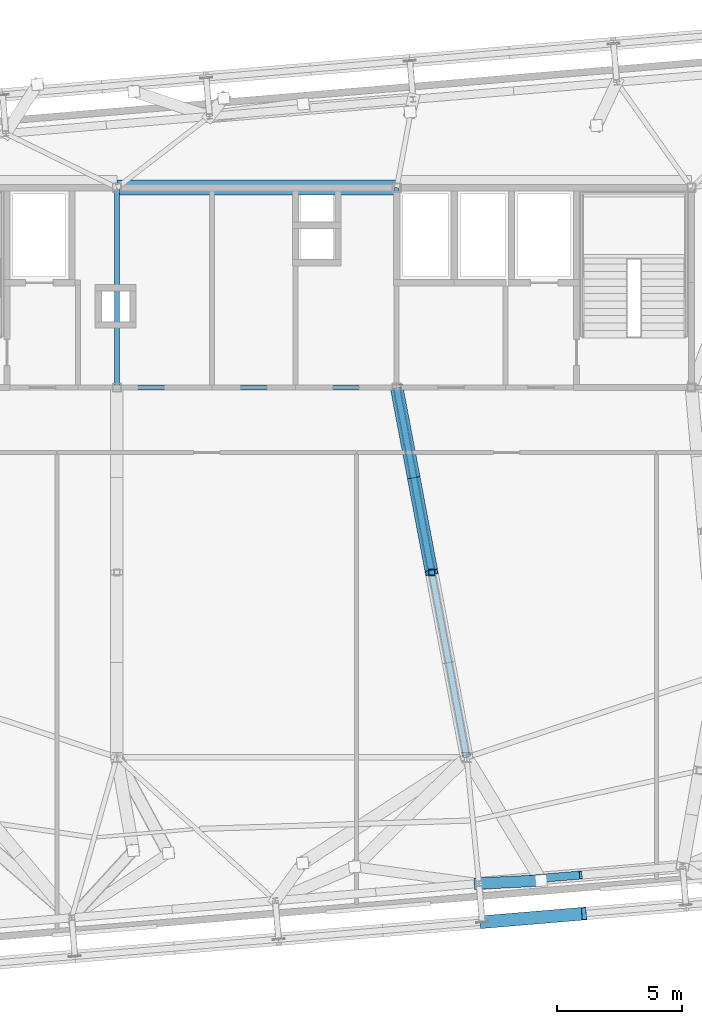
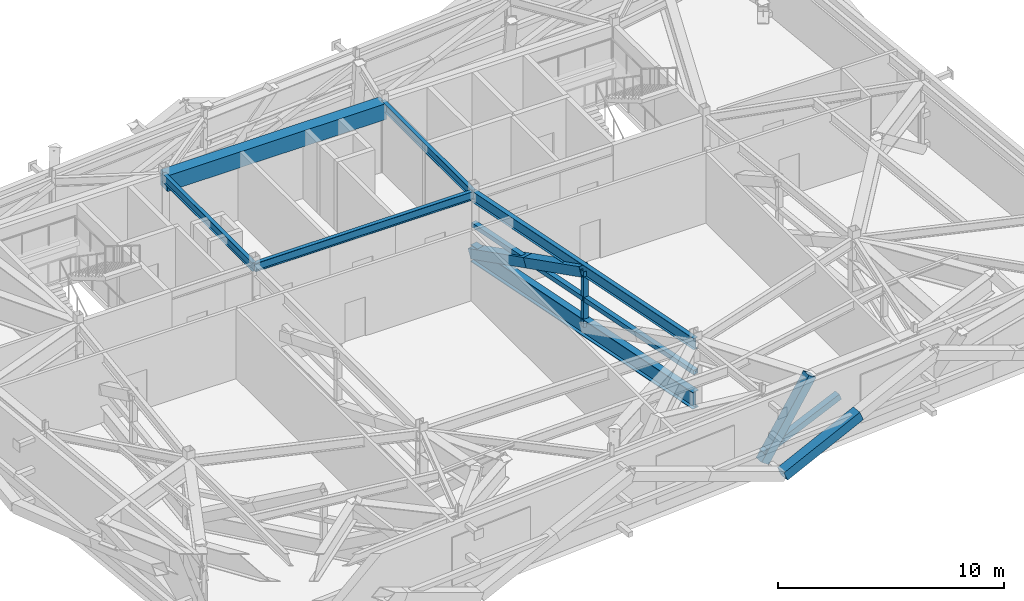
# One storey, part 10 of 26: 9 members, 5 beams.
"""IFC4 building model written with IfcOpenShell, lengths in metres."""

from ifc_helpers import new_model, si_unit, direction, frame, origin, origin_2d, place, context, subcontext, project, spatial, rectangle, hollow_rectangle, i_section, extrude, source, transform, mapped, material, material_profile, profile_set, type_object, element, save


model = new_model("IFC4")

# Units and contexts
model_context = context("Model", 3, precision=1e-05, world=origin(), true_north=direction((0.0, 1.0)))
body_context = subcontext(model_context, "Body", "Model", "MODEL_VIEW")
ifc_project = project(units=[si_unit("LENGTHUNIT", "METRE"), si_unit("AREAUNIT", "SQUARE_METRE"), si_unit("VOLUMEUNIT", "CUBIC_METRE"), si_unit("PLANEANGLEUNIT", "RADIAN"), si_unit("MASSUNIT", "GRAM", prefix="KILO")], contexts=[model_context])

# Site, building, storey
site_placement = place(None, origin())
site = spatial("IfcSite", under=ifc_project, at=site_placement, CompositionType="ELEMENT")
building_placement = place(site_placement, origin())
building = spatial("IfcBuilding", under=site, at=building_placement, Name="Taldren Reach Tower", CompositionType="ELEMENT")
storey_placement = place(building_placement, frame((0.0, 0.0, 207.199951171875)))
storey = spatial("IfcBuildingStorey", under=building, at=storey_placement, Name="L63", CompositionType="ELEMENT", Elevation=207.199951171875)

# Beams
ifc_material_1 = material(Name="Steel Gr 350 (350PLUS)", Category="steel")
ifc_material_profile_1 = material_profile(ifc_material_1, i_section(OverallWidth=0.19091796875, OverallDepth=0.4599609375, WebThickness=0.010009765625, FlangeThickness=0.01611328125, at=origin_2d()), Name="460UB82.1")
ifc_profile_set_1 = profile_set([ifc_material_profile_1], Name="Steel Gr 350 (350PLUS)")
beam_type_1 = type_object("IfcBeamType", Name="BM-UB460A", PredefinedType="BEAM", material=ifc_profile_set_1)
shared_shape_1 = source(origin(), body_context, "Body", "SweptSolid", [
    extrude(i_section(OverallWidth=0.19091796875, OverallDepth=0.4599609375, WebThickness=0.010009765625, FlangeThickness=0.01611328125, at=origin_2d()), origin(), (0.0, 0.0, 1.0), 11.199951171875),
])
beam_1_placement = place(storey_placement, frame((28.0, 24.0, 3.550048828125), z_axis=(1.0, 0.0, 0.0), x_axis=(0.0, 1.0, 0.0)))
element("IfcBeam", 1, at=beam_1_placement, inside=storey, type_object=beam_type_1, Name="Core-spine girder L63-SP02", PredefinedType="BEAM", context=body_context, shape_type="MappedRepresentation", body=[
    mapped(shared_shape_1, transform((0.0, 0.0, 0.0), scale=1.0)),
])
ifc_material_2 = material(Name="Concrete S80 (80 MPa)", Category="concrete")
ifc_material_profile_2 = material_profile(ifc_material_2, rectangle(XDim=0.60009765625, YDim=0.85009765625, at=origin_2d()), Name="RC-CB600x850")
ifc_profile_set_2 = profile_set([ifc_material_profile_2], Name="Concrete S80 (80 MPa)")
beam_type_2 = type_object("IfcBeamType", Name="BM-RCCB850", PredefinedType="BEAM", material=ifc_profile_set_2)
shared_shape_2 = source(origin(), body_context, "Body", "SweptSolid", [
    extrude(rectangle(XDim=0.60009765625, YDim=0.85009765625, at=origin_2d()), origin(), (0.0, 0.0, 1.0), 11.199951171875),
])
beam_2_placement = place(storey_placement, frame((28.0, 32.0, 3.35498046875), z_axis=(1.0, 0.0, 0.0), x_axis=(0.0, 1.0, 0.0)))
element("IfcBeam", 2, at=beam_2_placement, inside=storey, type_object=beam_type_2, Name="Core-spine girder L63-SP05", PredefinedType="BEAM", context=body_context, shape_type="MappedRepresentation", body=[
    mapped(shared_shape_2, transform((0.0, 0.0, 0.0), scale=1.0)),
])
shared_shape_3 = source(origin(), body_context, "Body", "SweptSolid", [
    extrude(i_section(OverallWidth=0.19091796875, OverallDepth=0.4599609375, WebThickness=0.010009765625, FlangeThickness=0.01611328125, at=origin_2d()), origin(), (0.0, 0.0, 1.0), 8.0),
])
for number, where, z_axis, x_axis, name in (
    (3, (28.0, 24.0, 3.550048828125), (0.0, 1.0, 0.0), (-1.0, 0.0, 0.0), "Core-spine girder L63-SP07"),
    (4, (39.199951171875, 24.0, 3.550048828125), (0.0, 1.0, 0.0), (-1.0, 0.0, 0.0), "Core-spine girder L63-SP08"),
):
    element("IfcBeam", number, at=place(storey_placement, frame(where, z_axis=z_axis, x_axis=x_axis)), inside=storey, type_object=beam_type_1, Name=name, PredefinedType="BEAM", context=body_context, shape_type="MappedRepresentation", body=[
        mapped(shared_shape_3, transform((0.0, 0.0, 0.0), scale=1.0)),
    ])
ifc_material_profile_3 = material_profile(ifc_material_1, i_section(OverallWidth=0.22802734375, OverallDepth=0.60205078125, WebThickness=0.010498046875, FlangeThickness=0.014892578125, at=origin_2d()), Name="610UB101")
ifc_profile_set_3 = profile_set([ifc_material_profile_3], Name="Steel Gr 350 (350PLUS)")
beam_type_3 = type_object("IfcBeamType", Name="BM-UB610B", PredefinedType="BEAM", material=ifc_profile_set_3)
shared_shape_4 = source(origin(), body_context, "Body", "SweptSolid", [
    extrude(i_section(OverallWidth=0.22802734375, OverallDepth=0.60205078125, WebThickness=0.010498046875, FlangeThickness=0.014892578125, at=origin_2d()), origin(), (0.0, 0.0, 1.0), 15.0625),
])
beam_3_placement = place(storey_placement, frame((39.199951171875, 24.0, 3.47900390625), z_axis=(0.185894205668, -0.982569765614, 0.0), x_axis=(0.982569765614, 0.185894205668, 0.0)))
element("IfcBeam", 5, at=beam_3_placement, inside=storey, type_object=beam_type_3, Name="Core-spine girder L63-SP15", PredefinedType="BEAM", context=body_context, shape_type="MappedRepresentation", body=[
    mapped(shared_shape_4, transform((0.0, 0.0, 0.0), scale=1.0)),
])

# Members
ifc_material_3 = material(Name="Steel Gr 350 (C350L0)", Category="steel")
ifc_material_profile_4 = material_profile(ifc_material_3, hollow_rectangle(XDim=0.25, YDim=0.25, WallThickness=0.010009765625, at=origin_2d()), Name="250x250x10.0SHS")
ifc_profile_set_4 = profile_set([ifc_material_profile_4], Name="Steel Gr 350 (C350L0)")
member_type_1 = type_object("IfcMemberType", Name="MB-POST250", PredefinedType="POST", material=ifc_profile_set_4)
shared_shape_5 = source(origin(), body_context, "Body", "SweptSolid", [
    extrude(hollow_rectangle(XDim=0.25, YDim=0.25, WallThickness=0.010009765625, at=origin_2d()), origin(), (0.0, 0.0, 1.0), 1.5048828125),
])
member_1_placement = place(storey_placement, frame((40.60009765625, 16.60009765625, 1.955078125), z_axis=(0.0, 0.0, 1.0), x_axis=(1.0, 0.0, 0.0)))
element("IfcMember", 6, at=member_1_placement, inside=storey, type_object=member_type_1, Name="Outrigger Transfer Truss Vertical Post OT-M2 L63", PredefinedType="POST", context=body_context, shape_type="MappedRepresentation", body=[
    mapped(shared_shape_5, transform((0.0, 0.0, 0.0), scale=1.0)),
])
shared_shape_6 = source(origin(), body_context, "Body", "SweptSolid", [
    extrude(hollow_rectangle(XDim=0.25, YDim=0.25, WallThickness=0.010009765625, at=origin_2d()), origin(), (0.0, 0.0, 1.0), 1.505126953125),
])
member_2_placement = place(storey_placement, frame((40.60009765625, 16.60009765625, 0.449951171875), z_axis=(0.0, 0.0, 1.0), x_axis=(1.0, 0.0, 0.0)))
element("IfcMember", 7, at=member_2_placement, inside=storey, type_object=member_type_1, Name="Outrigger Transfer Truss Vertical Post OT-M2 L63", PredefinedType="POST", context=body_context, shape_type="MappedRepresentation", body=[
    mapped(shared_shape_6, transform((0.0, 0.0, 0.0), scale=1.0)),
])
ifc_material_profile_5 = material_profile(ifc_material_1, i_section(OverallWidth=0.35009765625, OverallDepth=0.916015625, WebThickness=0.013916015625, FlangeThickness=0.028076171875, at=origin_2d()), Name="900WB257")
ifc_profile_set_5 = profile_set([ifc_material_profile_5], Name="Steel Gr 350 (350PLUS)")
member_type_2 = type_object("IfcMemberType", Name="MB-CH900", PredefinedType="CHORD", material=ifc_profile_set_5)
shared_shape_7 = source(origin(), body_context, "Body", "SweptSolid", [
    extrude(i_section(OverallWidth=0.35009765625, OverallDepth=0.916015625, WebThickness=0.013916015625, FlangeThickness=0.028076171875, at=origin_2d()), origin(), (0.0, 0.0, 1.0), 15.0625),
])
member_3_placement = place(storey_placement, frame((39.199951171875, 24.0, 0.449951171875), z_axis=(0.185894205668, -0.982569765614, 0.0), x_axis=(0.982569765614, 0.185894205668, 0.0)))
element("IfcMember", 8, at=member_3_placement, inside=storey, type_object=member_type_2, Name="Outrigger Transfer Truss Bottom Chord OT-M2 L63", PredefinedType="CHORD", context=body_context, shape_type="MappedRepresentation", body=[
    mapped(shared_shape_7, transform((0.0, 0.0, 0.0), scale=1.0)),
])
shared_shape_8 = source(origin(), body_context, "Body", "SweptSolid", [
    extrude(hollow_rectangle(XDim=0.25, YDim=0.25, WallThickness=0.010009765625, at=origin_2d()), origin(), (0.0, 0.0, 1.0), 15.0625),
])
member_4_placement = place(storey_placement, frame((39.199951171875, 24.0, 1.955078125), z_axis=(0.185894205668, -0.982569765614, 0.0), x_axis=(0.982569765614, 0.185894205668, 0.0)))
element("IfcMember", 9, at=member_4_placement, inside=storey, type_object=member_type_1, Name="Outrigger Transfer Truss Mid Chord OT-M2 L63", PredefinedType="POST", context=body_context, shape_type="MappedRepresentation", body=[
    mapped(shared_shape_8, transform((0.0, 0.0, 0.0), scale=1.0)),
])
ifc_material_4 = material(Name="Steel Gr 450 (C450L0)", Category="steel")
ifc_material_profile_6 = material_profile(ifc_material_4, hollow_rectangle(XDim=0.510009765625, YDim=0.510009765625, WallThickness=0.02001953125, at=origin_2d()), Name="510x510x20.0SHS")
ifc_profile_set_6 = profile_set([ifc_material_profile_6], Name="Steel Gr 450 (C450L0)")
member_type_3 = type_object("IfcMemberType", Name="MB-EXO508", PredefinedType="BRACE", material=ifc_profile_set_6)
shared_shape_9 = source(origin(), body_context, "Body", "SweptSolid", [
    extrude(hollow_rectangle(XDim=0.510009765625, YDim=0.510009765625, WallThickness=0.02001953125, at=origin_2d()), origin(), (0.0, 0.0, 1.0), 4.05517578125),
])
for number, where, z_axis, x_axis, name in (
    (10, (39.199951171875, 24.0, 0.449951171875), (0.172604098422, -0.912387552001, 0.371156005153), (0.982572166, 0.185881517646, 0.0), "Outrigger Transfer Truss Diagonal OT-M2A L63"),
    (11, (39.89990234375, 20.300048828125, 1.955078125), (0.172666365519, -0.912398455174, 0.371100236074), (0.982560322582, 0.185944111195, 0.0), "Outrigger Transfer Truss Diagonal OT-M2A L63"),
):
    element("IfcMember", number, at=place(storey_placement, frame(where, z_axis=z_axis, x_axis=x_axis)), inside=storey, type_object=member_type_3, Name=name, PredefinedType="BRACE", context=body_context, shape_type="MappedRepresentation", body=[
        mapped(shared_shape_9, transform((0.0, 0.0, 0.0), scale=1.0)),
    ])
ifc_material_profile_7 = material_profile(ifc_material_4, hollow_rectangle(XDim=0.4599609375, YDim=0.4599609375, WallThickness=0.01611328125, at=origin_2d()), Name="460x460x16.0SHS")
ifc_profile_set_7 = profile_set([ifc_material_profile_7], Name="Steel Gr 450 (C450L0)")
member_type_4 = type_object("IfcMemberType", Name="MB-EXO457", PredefinedType="BRACE", material=ifc_profile_set_7)
shared_shape_10 = source(origin(), body_context, "Body", "SweptSolid", [
    extrude(hollow_rectangle(XDim=0.4599609375, YDim=0.4599609375, WallThickness=0.01611328125, at=origin_2d()), origin(), (0.0, 0.0, 1.0), 4.509521484375),
])
member_5_placement = place(storey_placement, frame((42.49365234375, 4.1474609375, 0.02001953125), z_axis=(0.551408792749, 0.026961372488, 0.833799392943), x_axis=(-0.048837090347, 0.998806757389, 0.0)))
element("IfcMember", 12, at=member_5_placement, inside=storey, type_object=member_type_4, Name="Outrigger Belt Truss Transfer Strut TS-B5-S5 L63", PredefinedType="BRACE", context=body_context, shape_type="MappedRepresentation", body=[
    mapped(shared_shape_10, transform((0.0, 0.0, 0.0), scale=1.0)),
])
ifc_material_profile_8 = material_profile(ifc_material_4, hollow_rectangle(XDim=0.324951171875, YDim=0.324951171875, WallThickness=0.0126953125, at=origin_2d()), Name="325x325x12.7SHS")
ifc_profile_set_8 = profile_set([ifc_material_profile_8], Name="Steel Gr 450 (C450L0)")
member_type_5 = type_object("IfcMemberType", Name="MB-BR324", PredefinedType="BRACE", material=ifc_profile_set_8)
shared_shape_11 = source(origin(), body_context, "Body", "SweptSolid", [
    extrude(hollow_rectangle(XDim=0.324951171875, YDim=0.324951171875, WallThickness=0.0126953125, at=origin_2d()), origin(), (0.0, 0.0, 1.0), 4.358154296875),
])
member_6_placement = place(storey_placement, frame((42.49365234375, 4.1474609375, 0.449951171875), z_axis=(0.935179447034, 0.078538491958, 0.34535649281), x_axis=(-0.083687662192, 0.996492034688, 0.0)))
element("IfcMember", 13, at=member_6_placement, inside=storey, type_object=member_type_5, Name="Belt Truss Transfer Diagonal S4 L63", PredefinedType="BRACE", context=body_context, shape_type="MappedRepresentation", body=[
    mapped(shared_shape_11, transform((0.0, 0.0, 0.0), scale=1.0)),
])
shared_shape_12 = source(origin(), body_context, "Body", "SweptSolid", [
    extrude(hollow_rectangle(XDim=0.510009765625, YDim=0.510009765625, WallThickness=0.02001953125, at=origin_2d()), origin(), (0.0, 0.0, 1.0), 4.406494140625),
])
member_7_placement = place(storey_placement, frame((42.623291015625, 2.60302734375, 0.219970703125), z_axis=(0.924901661276, 0.07761993695, 0.37219895534), x_axis=(-0.083628388178, 0.996497010879, 0.0)))
element("IfcMember", 14, at=member_7_placement, inside=storey, type_object=member_type_3, Name="Exoskeleton Diagrid Brace B4-S4 L63", PredefinedType="BRACE", context=body_context, shape_type="MappedRepresentation", body=[
    mapped(shared_shape_12, transform((0.0, 0.0, 0.0), scale=1.0)),
])

save(model, "model.ifc")
